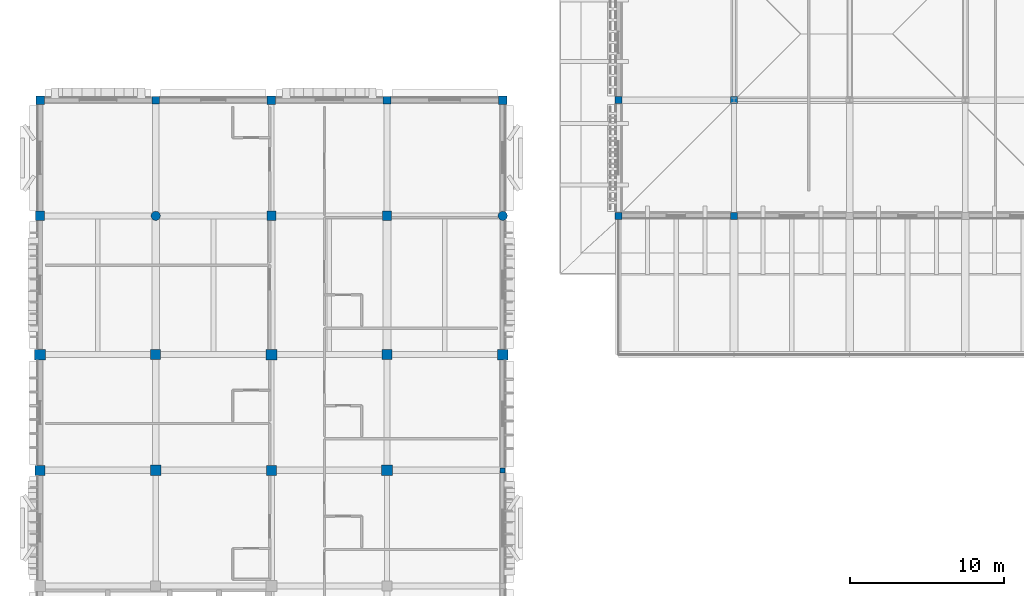
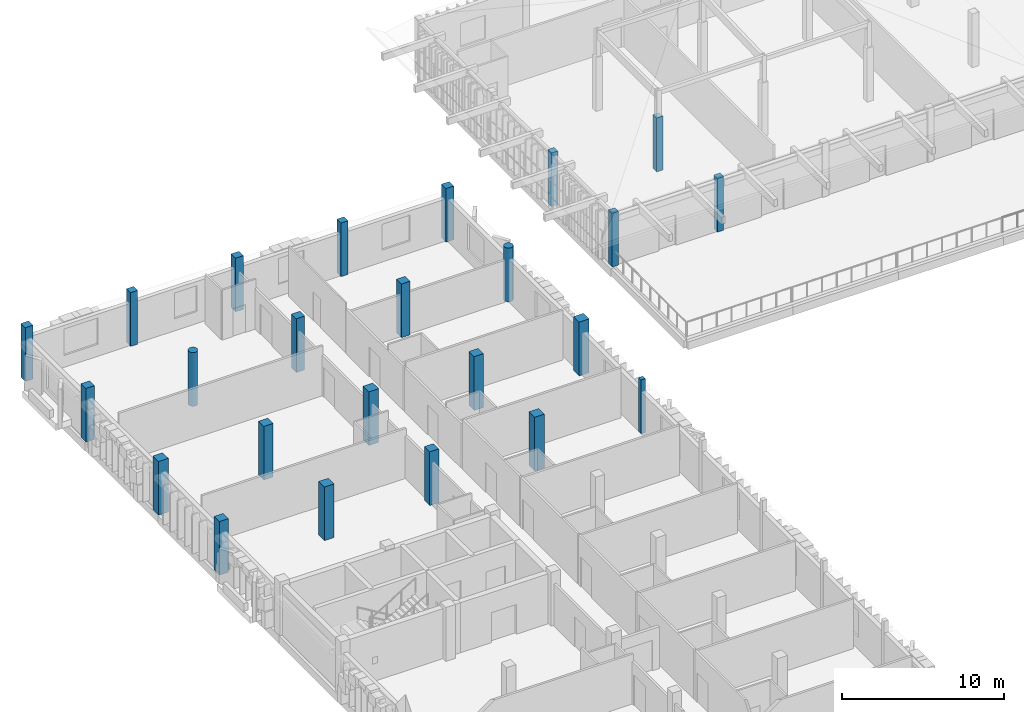
# One storey, part 4 of 48: 24 columns.
"""IFC4 building model written with IfcOpenShell, lengths in metres."""

from ifc_helpers import new_model, si_unit, direction, frame, origin, origin_2d, place, context, subcontext, project, spatial, rectangle, circle, extrude, material, material_profile, profile_set, type_object, element, save


model = new_model("IFC4")

# Units and contexts
model_context = context("Model", 3, precision=1e-05, world=origin(), true_north=direction((0.0, 1.0)))
body_context = subcontext(model_context, "Body", "Model", "MODEL_VIEW")
ifc_project = project(units=[si_unit("LENGTHUNIT", "METRE"), si_unit("AREAUNIT", "SQUARE_METRE"), si_unit("VOLUMEUNIT", "CUBIC_METRE"), si_unit("PLANEANGLEUNIT", "RADIAN"), si_unit("MASSUNIT", "GRAM", prefix="KILO")], contexts=[model_context])

# Site, building, storey
site_placement = place(None, origin())
site = spatial("IfcSite", under=ifc_project, at=site_placement, CompositionType="ELEMENT")
building_placement = place(site_placement, origin())
building = spatial("IfcBuilding", under=site, at=building_placement, Name="Dalvernix Boulevard General Hospital", CompositionType="ELEMENT")
storey_placement = place(building_placement, frame((0.0, 0.0, 17.85009765625)))
storey = spatial("IfcBuildingStorey", under=building, at=storey_placement, Name="L04", CompositionType="ELEMENT", Elevation=17.85009765625)

# Columns
ifc_material_1 = material(Name="Concrete C40/50", Category="concrete")
ifc_material_profile_1 = material_profile(ifc_material_1, rectangle(XDim=0.699951171875, YDim=0.699951171875, at=origin_2d()), Name="RC 700x700")
ifc_profile_set_1 = profile_set([ifc_material_profile_1], Name="Concrete C40/50")
column_type_1 = type_object("IfcColumnType", Name="COL-C-05-E", PredefinedType="COLUMN", material=ifc_profile_set_1)
for number, where, z_axis, x_axis, name in (
    (1, (0.0, 76.5, 0.0), (0.0, 0.0, 1.0), (1.0, 0.0, 0.0), "L04 column 1L"),
    (2, (30.0, 76.5, 0.0), (0.0, 0.0, 1.0), (1.0, 0.0, 0.0), "L04 column 5L"),
):
    element("IfcColumn", number, at=place(storey_placement, frame(where, z_axis=z_axis, x_axis=x_axis)), inside=storey, type_object=column_type_1, Name=name, PredefinedType="COLUMN", context=body_context, shape_type="SweptSolid", body=[
        extrude(rectangle(XDim=0.699951171875, YDim=0.699951171875, at=origin_2d()), origin(), (0.0, 0.0, 1.0), 4.0498046875),
    ])
ifc_material_profile_2 = material_profile(ifc_material_1, rectangle(XDim=0.699951171875, YDim=0.699951171875, at=origin_2d()), Name="RC 700x700")
ifc_profile_set_2 = profile_set([ifc_material_profile_2], Name="Concrete C40/50")
column_type_2 = type_object("IfcColumnType", Name="COL-C-05-I", PredefinedType="COLUMN", material=ifc_profile_set_2)
for number, where, z_axis, x_axis, name in (
    (3, (7.5, 69.0, 0.0), (0.0, 0.0, 1.0), (1.0, 0.0, 0.0), "L04 column 2K"),
    (4, (15.0, 76.5, 0.0), (0.0, 0.0, 1.0), (1.0, 0.0, 0.0), "L04 column 3L"),
    (5, (22.5, 69.0, 0.0), (0.0, 0.0, 1.0), (1.0, 0.0, 0.0), "L04 column 4K"),
):
    element("IfcColumn", number, at=place(storey_placement, frame(where, z_axis=z_axis, x_axis=x_axis)), inside=storey, type_object=column_type_2, Name=name, PredefinedType="COLUMN", context=body_context, shape_type="SweptSolid", body=[
        extrude(rectangle(XDim=0.699951171875, YDim=0.699951171875, at=origin_2d()), origin(), (0.0, 0.0, 1.0), 4.0498046875),
    ])
ifc_material_profile_3 = material_profile(ifc_material_1, rectangle(XDim=0.64990234375, YDim=0.64990234375, at=origin_2d()), Name="RC 650x650")
ifc_profile_set_3 = profile_set([ifc_material_profile_3], Name="Concrete C40/50")
column_type_3 = type_object("IfcColumnType", Name="COL-C-06-E", PredefinedType="COLUMN", material=ifc_profile_set_3)
column_1_placement = place(storey_placement, frame((0.0, 69.0, 0.0), z_axis=(0.0, 0.0, 1.0), x_axis=(1.0, 0.0, 0.0)))
element("IfcColumn", 6, at=column_1_placement, inside=storey, type_object=column_type_3, Name="L04 column 1K", PredefinedType="COLUMN", context=body_context, shape_type="SweptSolid", body=[
    extrude(rectangle(XDim=0.64990234375, YDim=0.64990234375, at=origin_2d()), origin(), (0.0, 0.0, 1.0), 4.0498046875),
])
ifc_material_profile_4 = material_profile(ifc_material_1, rectangle(XDim=0.64990234375, YDim=0.64990234375, at=origin_2d()), Name="RC 650x650")
ifc_profile_set_4 = profile_set([ifc_material_profile_4], Name="Concrete C40/50")
column_type_4 = type_object("IfcColumnType", Name="COL-C-06-I", PredefinedType="COLUMN", material=ifc_profile_set_4)
for number, where, z_axis, x_axis, name in (
    (7, (7.5, 76.5, 0.0), (0.0, 0.0, 1.0), (1.0, 0.0, 0.0), "L04 column 2L"),
    (8, (15.0, 69.0, 0.0), (0.0, 0.0, 1.0), (1.0, 0.0, 0.0), "L04 column 3K"),
    (9, (22.5, 76.5, 0.0), (0.0, 0.0, 1.0), (1.0, 0.0, 0.0), "L04 column 4L"),
):
    element("IfcColumn", number, at=place(storey_placement, frame(where, z_axis=z_axis, x_axis=x_axis)), inside=storey, type_object=column_type_4, Name=name, PredefinedType="COLUMN", context=body_context, shape_type="SweptSolid", body=[
        extrude(rectangle(XDim=0.64990234375, YDim=0.64990234375, at=origin_2d()), origin(), (0.0, 0.0, 1.0), 4.0498046875),
    ])
ifc_material_profile_5 = material_profile(ifc_material_1, rectangle(XDim=0.60009765625, YDim=0.60009765625, at=origin_2d()), Name="RC 600x600")
ifc_profile_set_5 = profile_set([ifc_material_profile_5], Name="Concrete C40/50")
column_type_5 = type_object("IfcColumnType", Name="COL-C-07-E", PredefinedType="COLUMN", material=ifc_profile_set_5)
column_2_placement = place(storey_placement, frame((0.0, 85.5, 0.0), z_axis=(0.0, 0.0, 1.0), x_axis=(1.0, 0.0, 0.0)))
element("IfcColumn", 10, at=column_2_placement, inside=storey, type_object=column_type_5, Name="L04 column 1M", PredefinedType="COLUMN", context=body_context, shape_type="SweptSolid", body=[
    extrude(rectangle(XDim=0.60009765625, YDim=0.60009765625, at=origin_2d()), origin(), (0.0, 0.0, 1.0), 4.0498046875),
])
ifc_material_profile_6 = material_profile(ifc_material_1, rectangle(XDim=0.60009765625, YDim=0.60009765625, at=origin_2d()), Name="RC 600x600")
ifc_profile_set_6 = profile_set([ifc_material_profile_6], Name="Concrete C40/50")
column_type_6 = type_object("IfcColumnType", Name="COL-C-07-I", PredefinedType="COLUMN", material=ifc_profile_set_6)
for number, where, z_axis, x_axis, name in (
    (11, (15.0, 85.5, 0.0), (0.0, 0.0, 1.0), (1.0, 0.0, 0.0), "L04 column 3M"),
    (12, (22.5, 85.5, 0.0), (0.0, 0.0, 1.0), (1.0, 0.0, 0.0), "L04 column 4M"),
):
    element("IfcColumn", number, at=place(storey_placement, frame(where, z_axis=z_axis, x_axis=x_axis)), inside=storey, type_object=column_type_6, Name=name, PredefinedType="COLUMN", context=body_context, shape_type="SweptSolid", body=[
        extrude(rectangle(XDim=0.60009765625, YDim=0.60009765625, at=origin_2d()), origin(), (0.0, 0.0, 1.0), 4.0498046875),
    ])
ifc_material_profile_7 = material_profile(ifc_material_1, rectangle(XDim=0.550048828125, YDim=0.550048828125, at=origin_2d()), Name="RC 550x550")
ifc_profile_set_7 = profile_set([ifc_material_profile_7], Name="Concrete C40/50")
column_type_7 = type_object("IfcColumnType", Name="COL-C-08-E", PredefinedType="COLUMN", material=ifc_profile_set_7)
for number, where, z_axis, x_axis, name in (
    (13, (0.0, 93.0, 0.0), (0.0, 0.0, 1.0), (1.0, 0.0, 0.0), "L04 column 1N"),
    (14, (15.0, 93.0, 0.0), (0.0, 0.0, 1.0), (1.0, 0.0, 0.0), "L04 column 3N"),
    (15, (30.0, 93.0, 0.0), (0.0, 0.0, 1.0), (1.0, 0.0, 0.0), "L04 column 5N"),
):
    element("IfcColumn", number, at=place(storey_placement, frame(where, z_axis=z_axis, x_axis=x_axis)), inside=storey, type_object=column_type_7, Name=name, PredefinedType="COLUMN", context=body_context, shape_type="SweptSolid", body=[
        extrude(rectangle(XDim=0.550048828125, YDim=0.550048828125, at=origin_2d()), origin(), (0.0, 0.0, 1.0), 4.0498046875),
    ])
ifc_material_profile_8 = material_profile(ifc_material_1, rectangle(XDim=0.5, YDim=0.5, at=origin_2d()), Name="RC 500x500")
ifc_profile_set_8 = profile_set([ifc_material_profile_8], Name="Concrete C40/50")
column_type_8 = type_object("IfcColumnType", Name="COL-C-09-E", PredefinedType="COLUMN", material=ifc_profile_set_8)
for number, where, z_axis, x_axis, name in (
    (16, (7.5, 93.0, 0.0), (0.0, 0.0, 1.0), (1.0, 0.0, 0.0), "L04 column 2N"),
    (17, (22.5, 93.0, 0.0), (0.0, 0.0, 1.0), (1.0, 0.0, 0.0), "L04 column 4N"),
):
    element("IfcColumn", number, at=place(storey_placement, frame(where, z_axis=z_axis, x_axis=x_axis)), inside=storey, type_object=column_type_8, Name=name, PredefinedType="COLUMN", context=body_context, shape_type="SweptSolid", body=[
        extrude(rectangle(XDim=0.5, YDim=0.5, at=origin_2d()), origin(), (0.0, 0.0, 1.0), 4.0498046875),
    ])
ifc_material_profile_9 = material_profile(ifc_material_1, rectangle(XDim=0.449951171875, YDim=0.449951171875, at=origin_2d()), Name="RC 450x450")
ifc_profile_set_9 = profile_set([ifc_material_profile_9], Name="Concrete C40/50")
column_type_9 = type_object("IfcColumnType", Name="COL-C-10-E", PredefinedType="COLUMN", material=ifc_profile_set_9)
for number, where, z_axis, x_axis, name in (
    (18, (37.5, 85.5, 0.0), (0.0, 0.0, 1.0), (1.0, 0.0, 0.0), "L04 column 6M"),
    (19, (37.5, 93.0, 0.0), (0.0, 0.0, 1.0), (1.0, 0.0, 0.0), "L04 column 6N"),
    (20, (45.0, 85.5, 0.0), (0.0, 0.0, 1.0), (1.0, 0.0, 0.0), "L04 column 7M"),
):
    element("IfcColumn", number, at=place(storey_placement, frame(where, z_axis=z_axis, x_axis=x_axis)), inside=storey, type_object=column_type_9, Name=name, PredefinedType="COLUMN", context=body_context, shape_type="SweptSolid", body=[
        extrude(rectangle(XDim=0.449951171875, YDim=0.449951171875, at=origin_2d()), origin(), (0.0, 0.0, 1.0), 4.0498046875),
    ])
ifc_material_profile_10 = material_profile(ifc_material_1, rectangle(XDim=0.449951171875, YDim=0.449951171875, at=origin_2d()), Name="RC 450x450")
ifc_profile_set_10 = profile_set([ifc_material_profile_10], Name="Concrete C40/50")
column_type_10 = type_object("IfcColumnType", Name="COL-C-10-I", PredefinedType="COLUMN", material=ifc_profile_set_10)
column_3_placement = place(storey_placement, frame((45.0, 93.0, 0.0), z_axis=(0.0, 0.0, 1.0), x_axis=(1.0, 0.0, 0.0)))
element("IfcColumn", 21, at=column_3_placement, inside=storey, type_object=column_type_10, Name="L04 column 7N", PredefinedType="COLUMN", context=body_context, shape_type="SweptSolid", body=[
    extrude(rectangle(XDim=0.449951171875, YDim=0.449951171875, at=origin_2d()), origin(), (0.0, 0.0, 1.0), 4.0498046875),
])
ifc_material_profile_11 = material_profile(ifc_material_1, circle(Radius=0.300048828125, at=origin_2d()), Name="RC D600")
ifc_profile_set_11 = profile_set([ifc_material_profile_11], Name="Concrete C40/50")
column_type_11 = type_object("IfcColumnType", Name="COL-C-15-E", PredefinedType="COLUMN", material=ifc_profile_set_11)
column_4_placement = place(storey_placement, frame((30.0, 85.5, 0.0), z_axis=(0.0, 0.0, 1.0), x_axis=(1.0, 0.0, 0.0)))
element("IfcColumn", 22, at=column_4_placement, inside=storey, type_object=column_type_11, Name="L04 column 5M", PredefinedType="COLUMN", context=body_context, shape_type="SweptSolid", body=[
    extrude(circle(Radius=0.300048828125, at=origin_2d()), origin(), (0.0, 0.0, 1.0), 4.0498046875),
])
ifc_material_profile_12 = material_profile(ifc_material_1, circle(Radius=0.300048828125, at=origin_2d()), Name="RC D600")
ifc_profile_set_12 = profile_set([ifc_material_profile_12], Name="Concrete C40/50")
column_type_12 = type_object("IfcColumnType", Name="COL-C-15-I", PredefinedType="COLUMN", material=ifc_profile_set_12)
column_5_placement = place(storey_placement, frame((7.5, 85.5, 0.0), z_axis=(0.0, 0.0, 1.0), x_axis=(1.0, 0.0, 0.0)))
element("IfcColumn", 23, at=column_5_placement, inside=storey, type_object=column_type_12, Name="L04 column 2M", PredefinedType="COLUMN", context=body_context, shape_type="SweptSolid", body=[
    extrude(circle(Radius=0.300048828125, at=origin_2d()), origin(), (0.0, 0.0, 1.0), 4.0498046875),
])
ifc_material_2 = material(Name="Glulam GL28h", Category="wood")
ifc_material_profile_13 = material_profile(ifc_material_2, rectangle(XDim=0.320068359375, YDim=0.320068359375, at=origin_2d()), Name="GL28h 320x320")
ifc_profile_set_13 = profile_set([ifc_material_profile_13], Name="Glulam GL28h")
column_type_13 = type_object("IfcColumnType", Name="COL-C-20-E", PredefinedType="COLUMN", material=ifc_profile_set_13)
column_6_placement = place(storey_placement, frame((30.0, 69.0, 0.0), z_axis=(0.0, 0.0, 1.0), x_axis=(1.0, 0.0, 0.0)))
element("IfcColumn", 24, at=column_6_placement, inside=storey, type_object=column_type_13, Name="L04 column 5K", PredefinedType="COLUMN", context=body_context, shape_type="SweptSolid", body=[
    extrude(rectangle(XDim=0.320068359375, YDim=0.320068359375, at=origin_2d()), origin(), (0.0, 0.0, 1.0), 4.0498046875),
])

save(model, "model.ifc")
